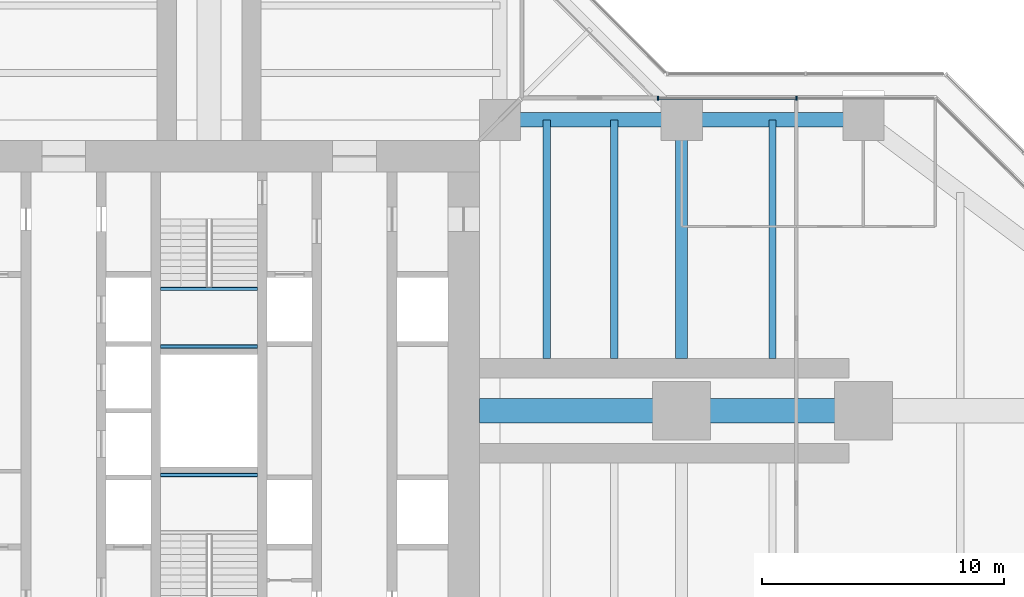
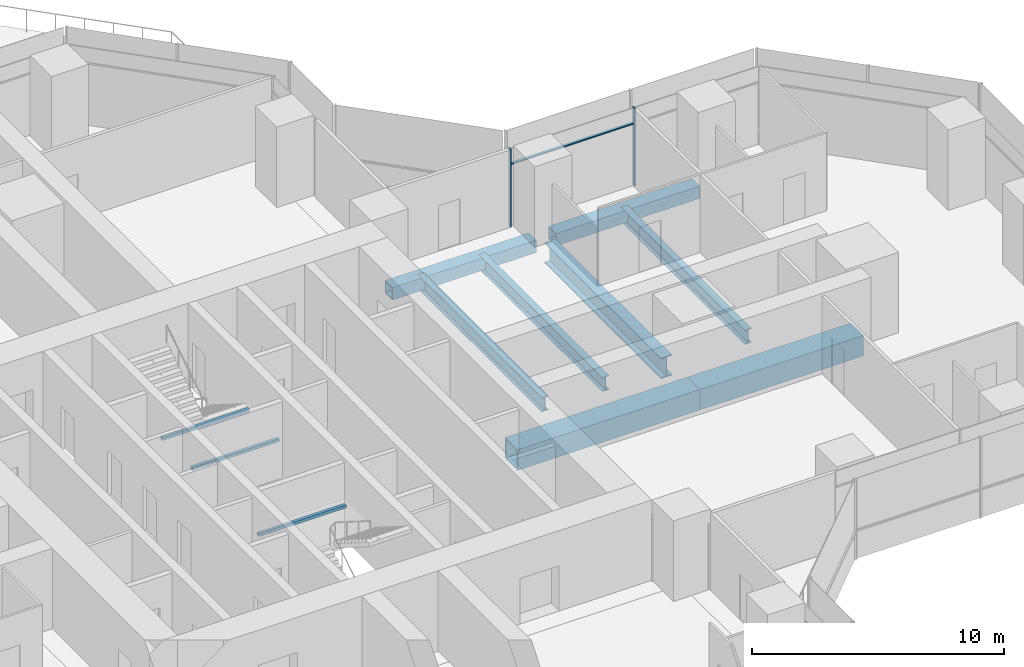
# One storey, part 9 of 21: 11 beams, 3 members, 1 element without a shape of its own.
"""IFC4 building model written with IfcOpenShell, lengths in metres."""

import ifcopenshell
import ifcopenshell.guid

model = None  # the IFC model being written
_history = None  # IfcOwnerHistory: only IFC2X3 demands one
_inside = {}  # id of a spatial element -> (the spatial element, [elements in it])
_under = {}  # id of a project, library or spatial element -> (it, [spatial elements below it])
_declared = {}  # id of a project -> (the project, [libraries it declares])
_typed = {}  # id of a type object -> (the type object, [elements of that type])
_made_of = {}  # id of a material, layer set ... -> (it, [elements and type objects made of it])


def new_model(schema):
    """Start an empty IFC model of exactly this schema.

    Asked for "IFC4X3", IfcOpenShell would pick the latest addendum, in which some entities
    have other attributes; the version numbers below select the first issue.
    IFC2X3 requires an IfcOwnerHistory on every rooted entity: one is made here for all.
    """
    global model, _history
    if schema == "IFC4X3":
        model = ifcopenshell.file(schema_version=(4, 3, 0, 0))
    else:
        model = ifcopenshell.file(schema=schema)
    _inside.clear()
    _under.clear()
    _declared.clear()
    _typed.clear()
    _made_of.clear()
    _history = None
    if model.schema == "IFC2X3":
        org = make("IfcOrganization", Name="unknown")
        user = make(
            "IfcPersonAndOrganization",
            ThePerson=make("IfcPerson", FamilyName="unknown"),
            TheOrganization=org,
        )
        app = make(
            "IfcApplication",
            ApplicationDeveloper=org,
            Version="unknown",
            ApplicationFullName="unknown",
            ApplicationIdentifier="unknown",
        )
        _history = make(
            "IfcOwnerHistory",
            OwningUser=user,
            OwningApplication=app,
            ChangeAction="ADDED",
            CreationDate=0,
        )
    return model


def make(cls, **values):
    """One entity of the class cls with the attributes given. An attribute that is None is left unset."""
    return model.create_entity(
        cls, **{name: value for name, value in values.items() if value is not None}
    )


def rooted(cls, **values):
    """An entity with a GlobalId (a new one), such as an element, a storey or a relation."""
    return make(cls, GlobalId=ifcopenshell.guid.new(), OwnerHistory=_history, **values)


def si_unit(unit_type, name, prefix=None):
    """IfcSIUnit, for example si_unit("LENGTHUNIT", "METRE", prefix="MILLI")."""
    return make("IfcSIUnit", UnitType=unit_type, Prefix=prefix, Name=name)


def assignment(units):
    """IfcUnitAssignment: the units of a project."""
    return None if units is None else make("IfcUnitAssignment", Units=units)


def point(xyz):
    """IfcCartesianPoint."""
    return None if xyz is None else make("IfcCartesianPoint", Coordinates=xyz)


def direction(xyz):
    """IfcDirection."""
    return None if xyz is None else make("IfcDirection", DirectionRatios=xyz)


def frame(location, z_axis=None, x_axis=None):
    """IfcAxis2Placement3D, a coordinate frame: its origin and axes. An axis left out is left unset."""
    return make(
        "IfcAxis2Placement3D",
        Location=point(location),
        Axis=direction(z_axis),
        RefDirection=direction(x_axis),
    )


def frame_2d(location, x_axis=None):
    """IfcAxis2Placement2D, a coordinate frame in the plane: its origin and x axis."""
    return make(
        "IfcAxis2Placement2D", Location=point(location), RefDirection=direction(x_axis)
    )


def origin():
    """The frame at (0, 0, 0) with its axes left unset."""
    return frame((0.0, 0.0, 0.0))


def origin_2d():
    """The frame at (0, 0) in the plane with its x axis left unset."""
    return frame_2d((0.0, 0.0))


def place(relative_to, where):
    """IfcLocalPlacement: puts the frame where relative to a parent placement (None: the world)."""
    return make(
        "IfcLocalPlacement", PlacementRelTo=relative_to, RelativePlacement=where
    )


def context(
    kind, dimensions, precision=None, world=None, true_north=None, identifier=None
):
    """IfcGeometricRepresentationContext, for example the 3D "Model" context."""
    return make(
        "IfcGeometricRepresentationContext",
        ContextIdentifier=identifier,
        ContextType=kind,
        CoordinateSpaceDimension=dimensions,
        Precision=precision,
        WorldCoordinateSystem=world,
        TrueNorth=true_north,
    )


def subcontext(parent, identifier, kind, view, scale=None):
    """IfcGeometricRepresentationSubContext, for example "Body" below "Model"."""
    return make(
        "IfcGeometricRepresentationSubContext",
        ContextIdentifier=identifier,
        ContextType=kind,
        ParentContext=parent,
        TargetScale=scale,
        TargetView=view,
    )


def project(units=None, contexts=None):
    """IfcProject with its units and contexts."""
    return rooted(
        "IfcProject",
        Name="project",
        RepresentationContexts=contexts,
        UnitsInContext=assignment(units),
    )


def spatial(cls, under=None, at=None, **own):
    """A site, building, storey or space (cls), placed at a placement, below another one or the project."""
    s = rooted(cls, ObjectPlacement=at, **own)
    if under is not None:
        _under.setdefault(under.id(), (under, []))[1].append(s)
    return s


def profile(cls, at=None, kind="AREA", **sizes):
    """A parametric profile (cls). Its sizes go by their IFC names, for example OverallWidth=200.0."""
    return make(cls, ProfileType=kind, Position=at, **sizes)


def rectangle(**sizes):
    """IfcRectangleProfileDef."""
    return profile("IfcRectangleProfileDef", **sizes)


def hollow_rectangle(**sizes):
    """IfcRectangleHollowProfileDef."""
    return profile("IfcRectangleHollowProfileDef", **sizes)


def i_section(**sizes):
    """IfcIShapeProfileDef."""
    return profile("IfcIShapeProfileDef", **sizes)


def extrude(swept, where, along, depth):
    """IfcExtrudedAreaSolid: the profile swept, set in the frame where, extruded along a direction by depth."""
    return make(
        "IfcExtrudedAreaSolid",
        SweptArea=swept,
        Position=where,
        ExtrudedDirection=direction(along),
        Depth=depth,
    )


def shape(context_of_items, identifier, shape_type, items):
    """IfcShapeRepresentation: the items that make up one representation, for example the "Body"."""
    return make(
        "IfcShapeRepresentation",
        ContextOfItems=context_of_items,
        RepresentationIdentifier=identifier,
        RepresentationType=shape_type,
        Items=items,
    )


def material(Name=None, Category=None):
    """IfcMaterial."""
    return make("IfcMaterial", Name=Name, Category=Category)


def material_profile(
    of_material, cross_section, Name=None, Category=None, Priority=None
):
    """IfcMaterialProfile: a cross section and its material."""
    return make(
        "IfcMaterialProfile",
        Name=Name,
        Material=of_material,
        Profile=cross_section,
        Priority=Priority,
        Category=Category,
    )


def profile_set(profiles, Name=None, composite=None):
    """IfcMaterialProfileSet."""
    return make(
        "IfcMaterialProfileSet",
        Name=Name,
        MaterialProfiles=profiles,
        CompositeProfile=composite,
    )


def made_of(thing, what):
    """Note that an element or type object is made of a material, layer set ...; save() writes the relation."""
    if what is not None:
        _made_of.setdefault(what.id(), (what, []))[1].append(thing)
    return thing


def type_object(cls, material=None, **own):
    """A type object (cls), such as IfcWallType, which elements share."""
    return made_of(rooted(cls, **own), material)


def element(
    cls,
    number,
    at=None,
    inside=None,
    cuts=None,
    type_object=None,
    material=None,
    context=None,
    identifier="Body",
    shape_type=None,
    held_by="IfcProductDefinitionShape",
    body=None,
    shapes=None,
    **own,
):
    """One element of the class cls, such as IfcWall. Its Tag is "e" and its number.

    at: its placement. inside: the storey or other place that contains it. cuts: it is an
    opening in that element (IfcRelVoidsElement). A single representation is given by context,
    identifier, shape_type and body (its items); several are given by shapes. held_by: the class
    of the entity that holds the representations. save() writes the other relations.
    """
    e = rooted(cls, Tag="e%d" % number, ObjectPlacement=at, **own)
    if body is not None:
        shapes = [shape(context, identifier, shape_type, body)]
    if shapes is not None:
        e.Representation = make(held_by, Representations=shapes)
    if inside is not None:
        _inside.setdefault(inside.id(), (inside, []))[1].append(e)
    if cuts is not None:
        rooted(
            "IfcRelVoidsElement", RelatingBuildingElement=cuts, RelatedOpeningElement=e
        )
    if type_object is not None:
        _typed.setdefault(type_object.id(), (type_object, []))[1].append(e)
    return made_of(e, material)


def aggregate(whole, parts):
    """IfcRelAggregates: a whole, such as a stair, and the parts it consists of."""
    return rooted("IfcRelAggregates", RelatingObject=whole, RelatedObjects=parts)


def save(model, path):
    """Write the relations noted so far, then the file.

    IfcRelAggregates (storeys below a building ...), IfcRelContainedInSpatialStructure (elements
    in a storey), IfcRelDefinesByType, IfcRelAssociatesMaterial and IfcRelDeclares: one each for
    every whole, place, type object, material and project.
    """
    for whole, parts in _under.values():
        aggregate(whole, parts)
    for where, things in _inside.values():
        rooted(
            "IfcRelContainedInSpatialStructure",
            RelatedElements=things,
            RelatingStructure=where,
        )
    for kind, things in _typed.values():
        rooted("IfcRelDefinesByType", RelatedObjects=things, RelatingType=kind)
    for what, things in _made_of.values():
        rooted("IfcRelAssociatesMaterial", RelatedObjects=things, RelatingMaterial=what)
    for by, libraries in _declared.values():
        rooted("IfcRelDeclares", RelatingContext=by, RelatedDefinitions=libraries)
    model.write(path)


model = new_model("IFC4")

# Units and contexts
model_context = context("Model", 3, precision=1e-05, world=origin(), true_north=direction((0.0, 1.0)))
body_context = subcontext(model_context, "Body", "Model", "MODEL_VIEW")
ifc_project = project(units=[si_unit("LENGTHUNIT", "METRE"), si_unit("AREAUNIT", "SQUARE_METRE"), si_unit("VOLUMEUNIT", "CUBIC_METRE"), si_unit("PLANEANGLEUNIT", "RADIAN"), si_unit("MASSUNIT", "GRAM", prefix="KILO")], contexts=[model_context])

# Site, building, storey
site_placement = place(None, origin())
site = spatial("IfcSite", under=ifc_project, at=site_placement, CompositionType="ELEMENT")
building_placement = place(site_placement, origin())
building = spatial("IfcBuilding", under=site, at=building_placement, Name="Mizan Broadcast Tower", CompositionType="ELEMENT")
storey_placement = place(building_placement, frame((0.0, 0.0, 124.199951171875)))
storey = spatial("IfcBuildingStorey", under=building, at=storey_placement, Name="L27", CompositionType="ELEMENT", Elevation=124.199951171875)

# Beams
ifc_material_1 = material(Name="Steel S355", Category="steel")
ifc_material_profile_1 = material_profile(ifc_material_1, hollow_rectangle(XDim=0.60009765625, YDim=0.60009765625, WallThickness=0.0400390625, at=origin_2d()), Name="BOX 600x600x40")
ifc_profile_set_1 = profile_set([ifc_material_profile_1], Name="Steel S355")
beam_type_1 = type_object("IfcBeamType", Name="EDGE BEAM BOX 600x600x40", PredefinedType="SPANDREL", material=ifc_profile_set_1)
for number, where, z_axis, x_axis, name in (
    (1, (12.449951171875, 12.0, -0.429931640625), (1.0, 0.0, 0.0), (0.0, 1.0, 0.0), "Edge beam BOX 600x600x40 L27 east arm"),
    (2, (19.949951171875, 12.0, -0.429931640625), (1.0, 0.0, 0.0), (0.0, 1.0, 0.0), "Edge beam BOX 600x600x40 L27 east arm"),
):
    element("IfcBeam", number, at=place(storey_placement, frame(where, z_axis=z_axis, x_axis=x_axis)), inside=storey, type_object=beam_type_1, Name=name, PredefinedType="SPANDREL", context=body_context, shape_type="SweptSolid", body=[
        extrude(hollow_rectangle(XDim=0.60009765625, YDim=0.60009765625, WallThickness=0.0400390625, at=origin_2d()), origin(), (0.0, 0.0, 1.0), 6.60009765625),
    ])
ifc_material_2 = material(Name="Steel S460", Category="steel")
ifc_material_profile_2 = material_profile(ifc_material_2, i_section(OverallWidth=0.5, OverallDepth=1.0, WebThickness=0.02490234375, FlangeThickness=0.050048828125, at=origin_2d()), Name="WPG 1000x500")
ifc_profile_set_2 = profile_set([ifc_material_profile_2], Name="Steel S460")
beam_type_2 = type_object("IfcBeamType", Name="GIRDER WPG 1000x500", PredefinedType="BEAM", material=ifc_profile_set_2)
beam_1_placement = place(storey_placement, frame((19.5, 11.408935546875, -0.6298828125), z_axis=(0.0, -1.0, 0.0), x_axis=(1.0, 0.0, 0.0)))
element("IfcBeam", 3, at=beam_1_placement, inside=storey, type_object=beam_type_2, Name="Girder WPG 1000x500 L27 east arm", PredefinedType="BEAM", context=body_context, shape_type="SweptSolid", body=[
    extrude(i_section(OverallWidth=0.5, OverallDepth=1.0, WebThickness=0.02490234375, FlangeThickness=0.050048828125, at=origin_2d()), origin(), (0.0, 0.0, 1.0), 9.259033203125),
])

# Curtain wall, members
ifc_material_3 = material(Name="Aluminium framed glazing", Category="aluminium")
curtain_wall_type = type_object("IfcCurtainWallType", Name="INNER SKIN MID ZONE", PredefinedType="USERDEFINED", material=ifc_material_3)
curtain_wall_placement = place(storey_placement, origin())
curtain_wall = element("IfcCurtainWall", 4, at=curtain_wall_placement, inside=storey, type_object=curtain_wall_type, Name="Inner skin mid zone L27 E side", ObjectType="INNER SKIN MID ZONE", PredefinedType="USERDEFINED")
ifc_material_4 = material(Name="Aluminium, pale anodised", Category="aluminium")
ifc_material_profile_3 = material_profile(ifc_material_4, rectangle(XDim=0.159912109375, YDim=0.06005859375, at=origin_2d()), Name="MULLION 160x60")
ifc_profile_set_3 = profile_set([ifc_material_profile_3], Name="Aluminium, pale anodised")
member_type_1 = type_object("IfcMemberType", Name="INNER SKIN MULLION 60x160", PredefinedType="MULLION", material=ifc_profile_set_3)
member_1_placement = place(storey_placement, frame((24.229248046875, 12.89990234375, 0.0), z_axis=(0.0, 0.0, 1.0), x_axis=(0.0, -1.0, 0.0)))
member_1 = element("IfcMember", 5, at=member_1_placement, type_object=member_type_1, Name="Inner skin mid zone L27 E side mullion 2", PredefinedType="MULLION", context=body_context, shape_type="SweptSolid", body=[
    extrude(rectangle(XDim=0.159912109375, YDim=0.06005859375, at=origin_2d()), origin(), (0.0, 0.0, 1.0), 3.77001953125),
])
member_2_placement = place(storey_placement, frame((18.530029296875, 12.89990234375, 0.0), z_axis=(0.0, 0.0, 1.0), x_axis=(0.0, -1.0, 0.0)))
member_2 = element("IfcMember", 6, at=member_2_placement, type_object=member_type_1, Name="Inner skin mid zone L27 E side mullion 3", PredefinedType="MULLION", context=body_context, shape_type="SweptSolid", body=[
    extrude(rectangle(XDim=0.159912109375, YDim=0.06005859375, at=origin_2d()), origin(), (0.0, 0.0, 1.0), 3.77001953125),
])
ifc_material_5 = material(Name="Aluminium, pale anodised", Category="aluminium")
ifc_material_profile_4 = material_profile(ifc_material_5, rectangle(XDim=0.1201171875, YDim=0.06005859375, at=origin_2d()), Name="TRANSOM 120x60")
ifc_profile_set_4 = profile_set([ifc_material_profile_4], Name="Aluminium, pale anodised")
member_type_2 = type_object("IfcMemberType", Name="INNER SKIN TRANSOM 60x120", PredefinedType="USERDEFINED", material=ifc_profile_set_4)
member_3_placement = place(storey_placement, frame((24.19921875, 12.89990234375, 3.030029296875), z_axis=(-1.0, 0.0, 0.0), x_axis=(0.0, -1.0, 0.0)))
member_3 = element("IfcMember", 7, at=member_3_placement, type_object=member_type_2, Name="Inner skin mid zone L27 E side transom 2.1", ObjectType="TRANSOM", PredefinedType="USERDEFINED", context=body_context, shape_type="SweptSolid", body=[
    extrude(rectangle(XDim=0.1201171875, YDim=0.06005859375, at=origin_2d()), origin(), (0.0, 0.0, 1.0), 5.63916015625),
])
aggregate(curtain_wall, [member_1, member_2, member_3])

# Beams
ifc_material_6 = material(Name="Steel S355", Category="steel")
ifc_material_profile_5 = material_profile(ifc_material_6, hollow_rectangle(XDim=0.14990234375, YDim=0.14990234375, WallThickness=0.008056640625, InnerFilletRadius=0.008056640625, OuterFilletRadius=0.011962890625, at=origin_2d()), Name="SHS 150x150x8")
ifc_profile_set_5 = profile_set([ifc_material_profile_5], Name="Steel S355")
beam_type_3 = type_object("IfcBeamType", Name="LANDING TRIMMER SHS 150x150x8", PredefinedType="BEAM", material=ifc_profile_set_5)
for number, where, z_axis, x_axis, name in (
    (8, (-2.0, -2.64990234375, 1.675048828125), (1.0, 0.0, 0.0), (0.0, 1.0, 0.0), "Stair A landing trimmer L27"),
    (9, (2.0, 5.02490234375, 1.675048828125), (-1.0, 0.0, 0.0), (0.0, -1.0, 0.0), "Stair B landing trimmer L27"),
    (10, (2.0, 2.64990234375, 1.675048828125), (-1.0, 0.0, 0.0), (0.0, -1.0, 0.0), "Stair B landing trimmer L27"),
):
    element("IfcBeam", number, at=place(storey_placement, frame(where, z_axis=z_axis, x_axis=x_axis)), inside=storey, type_object=beam_type_3, Name=name, PredefinedType="BEAM", context=body_context, shape_type="SweptSolid", body=[
        extrude(hollow_rectangle(XDim=0.14990234375, YDim=0.14990234375, WallThickness=0.008056640625, InnerFilletRadius=0.008056640625, OuterFilletRadius=0.011962890625, at=origin_2d()), origin(), (0.0, 0.0, 1.0), 4.0),
    ])
ifc_material_7 = material(Name="Steel S460", Category="steel")
ifc_material_profile_6 = material_profile(ifc_material_7, hollow_rectangle(XDim=1.0, YDim=1.0, WallThickness=0.080078125, at=origin_2d()), Name="BOX 1000x1000x80")
ifc_profile_set_6 = profile_set([ifc_material_profile_6], Name="Steel S460")
beam_type_4 = type_object("IfcBeamType", Name="OUTRIGGER TRUSS OT2 CHORD BOX 1000x1000x80", PredefinedType="BEAM", material=ifc_profile_set_6)
beam_2_placement = place(storey_placement, frame((11.14990234375, 0.0, -0.6298828125), z_axis=(1.0, 0.0, 0.0), x_axis=(0.0, 1.0, 0.0)))
element("IfcBeam", 11, at=beam_2_placement, inside=storey, type_object=beam_type_4, Name="Outrigger truss OT2-E top chord 1", PredefinedType="BEAM", context=body_context, shape_type="SweptSolid", body=[
    extrude(hollow_rectangle(XDim=1.0, YDim=1.0, WallThickness=0.080078125, at=origin_2d()), origin(), (0.0, 0.0, 1.0), 8.35009765625),
])
beam_3_placement = place(storey_placement, frame((19.5, 0.0, -0.6298828125), z_axis=(1.0, 0.0, 0.0), x_axis=(0.0, 1.0, 0.0)))
element("IfcBeam", 12, at=beam_3_placement, inside=storey, type_object=beam_type_4, Name="Outrigger truss OT2-E top chord 2", PredefinedType="BEAM", context=body_context, shape_type="SweptSolid", body=[
    extrude(hollow_rectangle(XDim=1.0, YDim=1.0, WallThickness=0.080078125, at=origin_2d()), origin(), (0.0, 0.0, 1.0), 7.5),
])
ifc_material_8 = material(Name="Steel S355", Category="steel")
ifc_material_profile_7 = material_profile(ifc_material_8, i_section(OverallWidth=0.300048828125, OverallDepth=0.68994140625, WebThickness=0.014404296875, FlangeThickness=0.027099609375, FilletRadius=0.027099609375, at=origin_2d()), Name="HEA 700")
ifc_profile_set_7 = profile_set([ifc_material_profile_7], Name="Steel S355")
beam_type_5 = type_object("IfcBeamType", Name="SECONDARY BEAM HEA 700", PredefinedType="JOIST", material=ifc_profile_set_7)
for number, where, z_axis, x_axis, name in (
    (13, (13.933349609375, 12.0, -0.474853515625), (0.0, -1.0, 0.0), (1.0, 0.0, 0.0), "Secondary beam HEA 700 L27 east arm"),
    (14, (16.716552734375, 12.0, -0.474853515625), (0.0, -1.0, 0.0), (1.0, 0.0, 0.0), "Secondary beam HEA 700 L27 east arm"),
    (15, (23.25, 12.0, -0.474853515625), (0.0, -1.0, 0.0), (1.0, 0.0, 0.0), "Secondary beam HEA 700 L27 east arm"),
):
    element("IfcBeam", number, at=place(storey_placement, frame(where, z_axis=z_axis, x_axis=x_axis)), inside=storey, type_object=beam_type_5, Name=name, PredefinedType="JOIST", context=body_context, shape_type="SweptSolid", body=[
        extrude(i_section(OverallWidth=0.300048828125, OverallDepth=0.68994140625, WebThickness=0.014404296875, FlangeThickness=0.027099609375, FilletRadius=0.027099609375, at=origin_2d()), origin(), (0.0, 0.0, 1.0), 9.85009765625),
    ])

save(model, "model.ifc")
